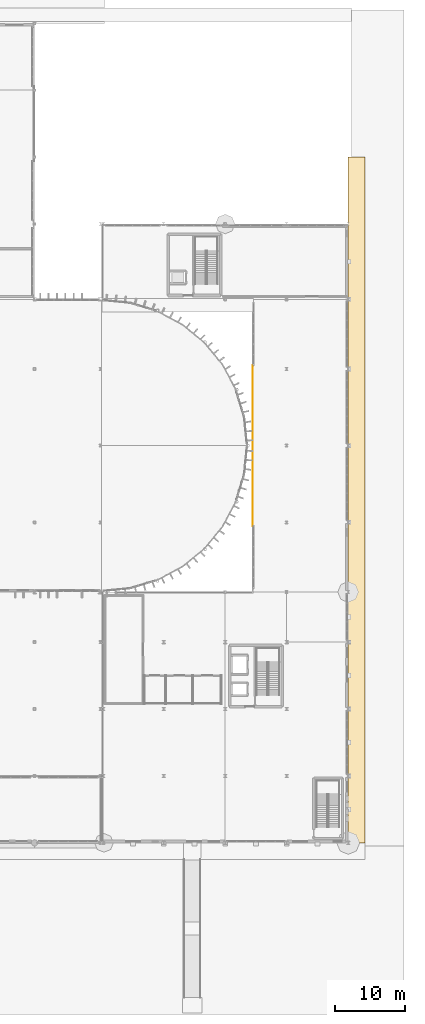
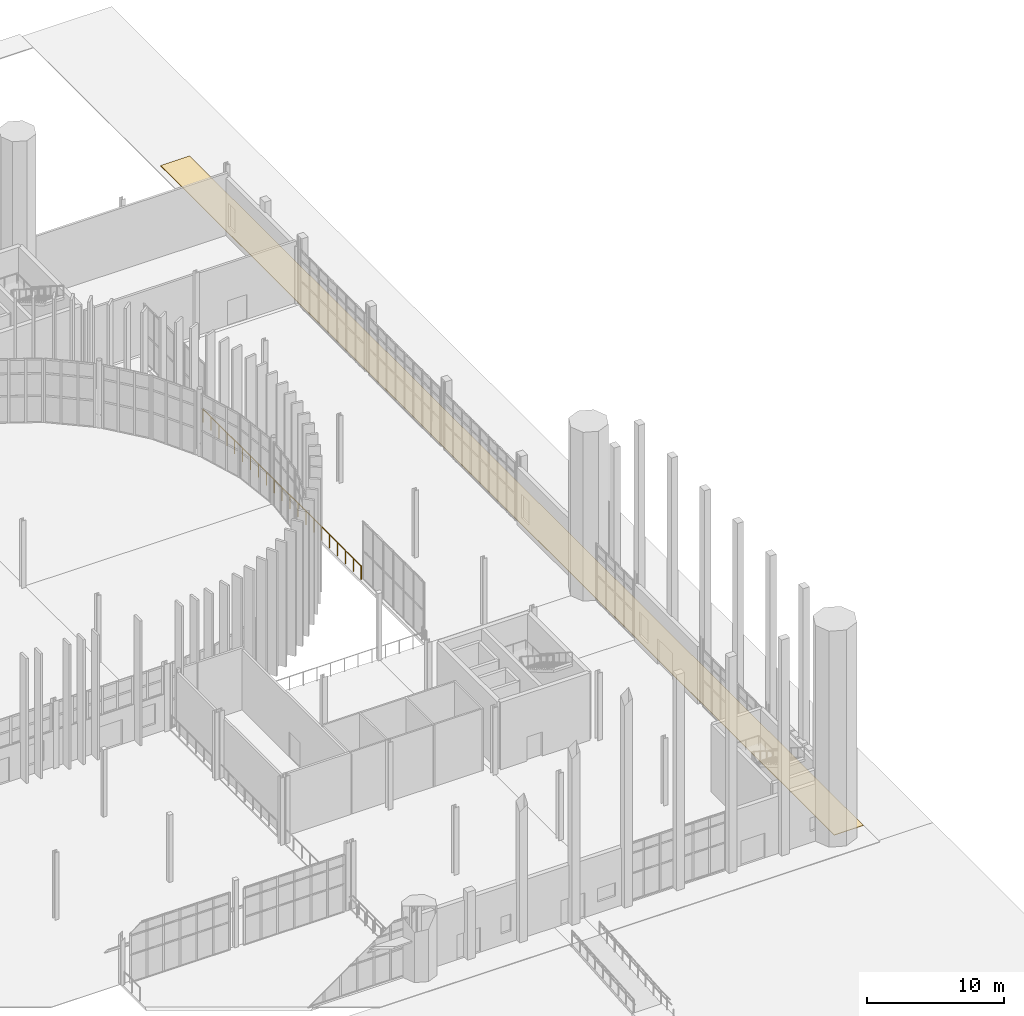
# One storey, part 131 of 139: 1 covering, 1 railing.
"""IFC4 building model written with IfcOpenShell, lengths in metres."""

from ifc_helpers import new_model, si_unit, direction, frame, origin, origin_2d, place, context, subcontext, project, spatial, polyline, circle, outline, extrude, material, layer, layer_set, type_object, element, save


model = new_model("IFC4")

# Units and contexts
model_context = context("Model", 3, precision=1e-05, world=origin(), true_north=direction((0.0, 1.0)))
body_context = subcontext(model_context, "Body", "Model", "MODEL_VIEW")
ifc_project = project(units=[si_unit("LENGTHUNIT", "METRE"), si_unit("AREAUNIT", "SQUARE_METRE"), si_unit("VOLUMEUNIT", "CUBIC_METRE"), si_unit("PLANEANGLEUNIT", "RADIAN"), si_unit("MASSUNIT", "GRAM", prefix="KILO")], contexts=[model_context])

# Site, building, storey
site_placement = place(None, origin())
site = spatial("IfcSite", under=ifc_project, at=site_placement, CompositionType="ELEMENT")
building_placement = place(site_placement, origin())
building = spatial("IfcBuilding", under=site, at=building_placement, Name="Yeouljin Market Hall", CompositionType="ELEMENT")
storey_placement = place(building_placement, origin())
storey = spatial("IfcBuildingStorey", under=building, at=storey_placement, Name="L00", CompositionType="ELEMENT", Elevation=0.0)

# Covering
ifc_material_1 = material(Name="Pocheon Granite Stone", Category="masonry")
ifc_layer = layer(ifc_material_1, 0.050048828125)
ifc_layer_set = layer_set([ifc_layer], Name="Pocheon Granite Stone")
covering_type = type_object("IfcCoveringType", Name="Covering_Granite_PlinthPaving", PredefinedType="FLOORING", material=ifc_layer_set)
covering_placement = place(storey_placement, frame((0.0, 0.0, -0.050048828125)))
element("IfcCovering", 1, at=covering_placement, inside=storey, type_object=covering_type, Name="Granite plinth exterior apron PAV-EAST-WALK", PredefinedType="FLOORING", context=body_context, shape_type="SweptSolid", body=[
    extrude(outline(polyline([(176.35009765625, 0.0), (178.800048828125, 0.0), (178.800048828125, 98.39990234375), (176.35009765625, 98.39990234375), (176.35009765625, 0.0)])), origin(), (0.0, 0.0, 1.0), 0.050048828125),
])

# Railing
ifc_material_2 = material(Name="Wrought Iron and Bronze Gallery Balustrade")
railing_type = type_object("IfcRailingType", Name="Railing_AtriumBalustrade_1200", PredefinedType="BALUSTRADE", material=ifc_material_2)
railing_placement = place(storey_placement, frame((162.699951171875, 45.449951171875, 0.0)))
element("IfcRailing", 2, at=railing_placement, inside=storey, type_object=railing_type, Name="Gallery & deck edge balustrade L00-002", PredefinedType="BALUSTRADE", context=body_context, shape_type="SweptSolid", body=[
    extrude(circle(Radius=0.02392578125, at=origin_2d()), frame((0.0, 0.0, 1.17578125), z_axis=(0.0, 1.0, 0.0), x_axis=(-1.0, 0.0, 0.0)), (0.0, 0.0, 1.0), 23.10009765625),
    extrude(circle(Radius=0.02099609375, at=origin_2d()), origin(), (0.0, 0.0, 1.0), 1.15185546875),
    extrude(circle(Radius=0.02099609375, at=origin_2d()), frame((0.0, 1.155029296875, 0.0)), (0.0, 0.0, 1.0), 1.15185546875),
    extrude(circle(Radius=0.02099609375, at=origin_2d()), frame((0.0, 2.31005859375, 0.0)), (0.0, 0.0, 1.0), 1.15185546875),
    extrude(circle(Radius=0.02099609375, at=origin_2d()), frame((0.0, 3.465087890625, 0.0)), (0.0, 0.0, 1.0), 1.15185546875),
    extrude(circle(Radius=0.02099609375, at=origin_2d()), frame((0.0, 4.6201171875, 0.0)), (0.0, 0.0, 1.0), 1.15185546875),
    extrude(circle(Radius=0.02099609375, at=origin_2d()), frame((0.0, 5.77490234375, 0.0)), (0.0, 0.0, 1.0), 1.15185546875),
    extrude(circle(Radius=0.02099609375, at=origin_2d()), frame((0.0, 6.929931640625, 0.0)), (0.0, 0.0, 1.0), 1.15185546875),
    extrude(circle(Radius=0.02099609375, at=origin_2d()), frame((0.0, 8.0849609375, 0.0)), (0.0, 0.0, 1.0), 1.15185546875),
    extrude(circle(Radius=0.02099609375, at=origin_2d()), frame((0.0, 9.239990234375, 0.0)), (0.0, 0.0, 1.0), 1.15185546875),
    extrude(circle(Radius=0.02099609375, at=origin_2d()), frame((0.0, 10.39501953125, 0.0)), (0.0, 0.0, 1.0), 1.15185546875),
    extrude(circle(Radius=0.02099609375, at=origin_2d()), frame((0.0, 11.550048828125, 0.0)), (0.0, 0.0, 1.0), 1.15185546875),
    extrude(circle(Radius=0.02099609375, at=origin_2d()), frame((0.0, 12.705078125, 0.0)), (0.0, 0.0, 1.0), 1.15185546875),
    extrude(circle(Radius=0.02099609375, at=origin_2d()), frame((0.0, 13.860107421875, 0.0)), (0.0, 0.0, 1.0), 1.15185546875),
    extrude(circle(Radius=0.02099609375, at=origin_2d()), frame((0.0, 15.01513671875, 0.0)), (0.0, 0.0, 1.0), 1.15185546875),
    extrude(circle(Radius=0.02099609375, at=origin_2d()), frame((0.0, 16.170166015625, 0.0)), (0.0, 0.0, 1.0), 1.15185546875),
    extrude(circle(Radius=0.02099609375, at=origin_2d()), frame((0.0, 17.3251953125, 0.0)), (0.0, 0.0, 1.0), 1.15185546875),
    extrude(circle(Radius=0.02099609375, at=origin_2d()), frame((0.0, 18.47998046875, 0.0)), (0.0, 0.0, 1.0), 1.15185546875),
    extrude(circle(Radius=0.02099609375, at=origin_2d()), frame((0.0, 19.635009765625, 0.0)), (0.0, 0.0, 1.0), 1.15185546875),
    extrude(circle(Radius=0.02099609375, at=origin_2d()), frame((0.0, 20.7900390625, 0.0)), (0.0, 0.0, 1.0), 1.15185546875),
    extrude(circle(Radius=0.02099609375, at=origin_2d()), frame((0.0, 21.945068359375, 0.0)), (0.0, 0.0, 1.0), 1.15185546875),
    extrude(circle(Radius=0.02099609375, at=origin_2d()), frame((0.0, 23.10009765625, 0.0)), (0.0, 0.0, 1.0), 1.15185546875),
])

save(model, "model.ifc")
